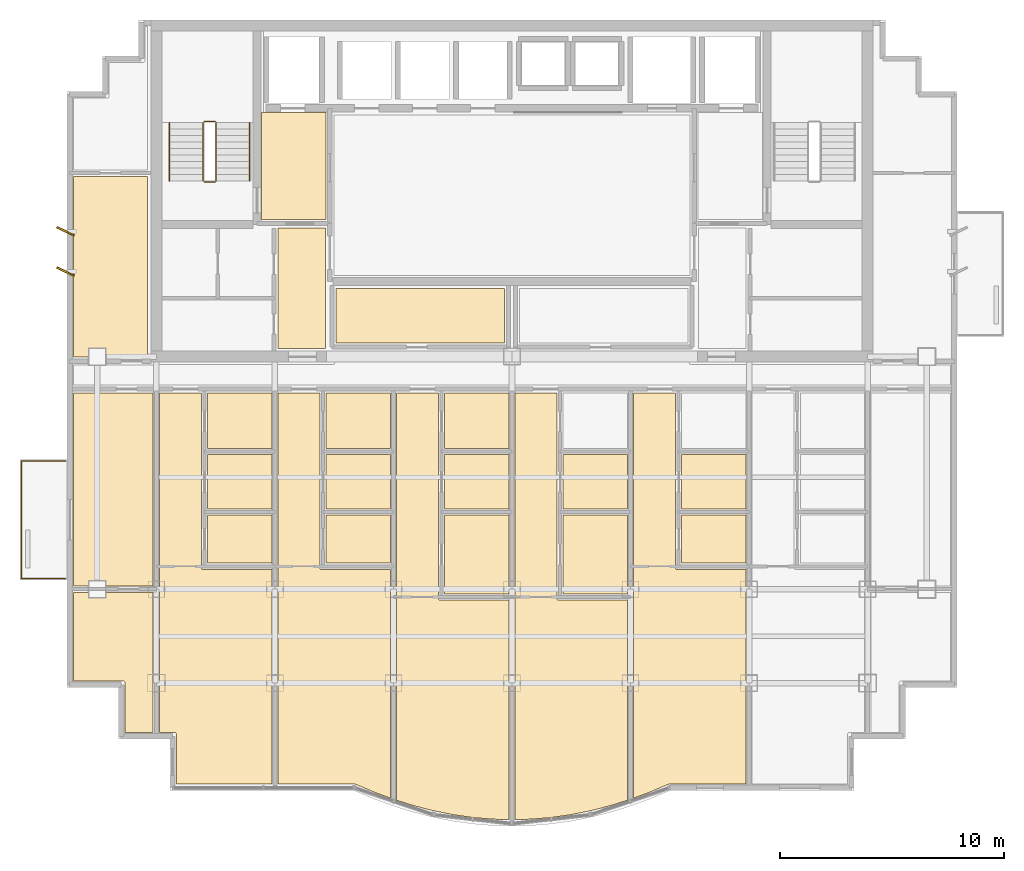
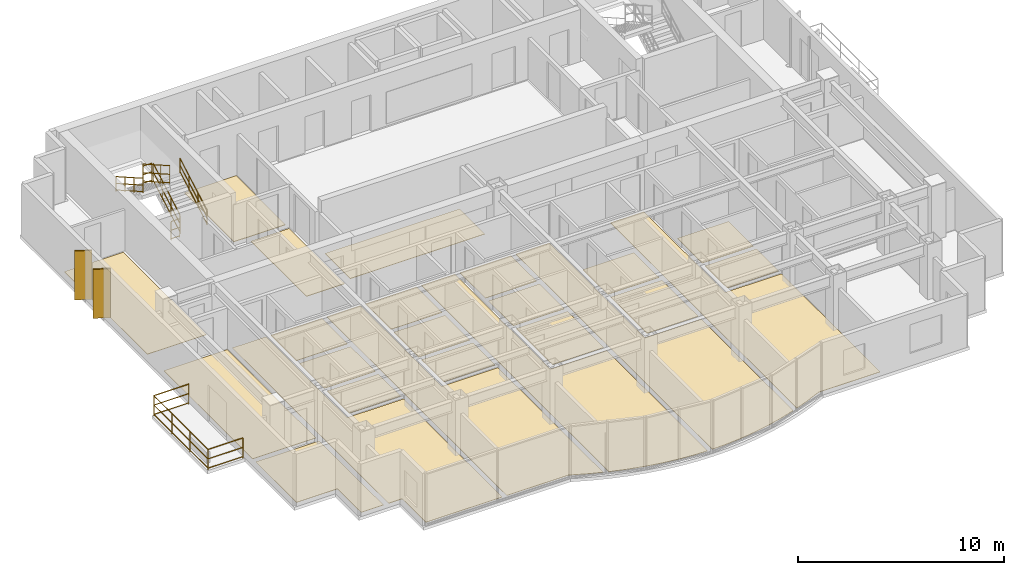
# One storey, part 8 of 9: 24 coverings, 7 railings, 2 shading devices.
"""IFC4 building model written with IfcOpenShell, lengths in metres."""

from ifc_helpers import new_model, si_unit, direction, frame, origin, origin_2d, place, context, subcontext, project, spatial, polyline, rectangle, circle, outline, extrude, source, transform, mapped, material, layer, layer_set, type_object, element, save


model = new_model("IFC4")

# Units and contexts
model_context = context("Model", 3, precision=1e-05, world=origin(), true_north=direction((0.0, 1.0)))
body_context = subcontext(model_context, "Body", "Model", "MODEL_VIEW")
ifc_project = project(units=[si_unit("LENGTHUNIT", "METRE"), si_unit("AREAUNIT", "SQUARE_METRE"), si_unit("VOLUMEUNIT", "CUBIC_METRE"), si_unit("PLANEANGLEUNIT", "RADIAN"), si_unit("MASSUNIT", "GRAM", prefix="KILO")], contexts=[model_context])

# Site, building, storey
site_placement = place(None, origin())
site = spatial("IfcSite", under=ifc_project, at=site_placement, CompositionType="ELEMENT")
building_placement = place(site_placement, origin())
building = spatial("IfcBuilding", under=site, at=building_placement, Name="Qianlan Lanfeng Residences", CompositionType="ELEMENT")
storey_placement = place(building_placement, frame((0.0, 0.0, 229.699951171875)))
storey = spatial("IfcBuildingStorey", under=building, at=storey_placement, Name="L63", CompositionType="ELEMENT", Elevation=229.699951171875)

# Coverings
ifc_material_1 = material(Name="Honed Taitung Granite Stone Flooring", Category="masonry")
ifc_layer_1 = layer(ifc_material_1, 0.030029296875)
ifc_layer_set_1 = layer_set([ifc_layer_1], Name="Honed Taitung Granite Stone Flooring")
covering_type_1 = type_object("IfcCoveringType", Name="FLR-STN-30", PredefinedType="FLOORING", material=ifc_layer_set_1)
covering_1_placement = place(storey_placement, origin())
element("IfcCovering", 1, at=covering_1_placement, inside=storey, type_object=covering_type_1, Name="L63 Firefighting Lift Lobby Floor Finish", PredefinedType="FLOORING", context=body_context, shape_type="SweptSolid", body=[
    extrude(outline(polyline([(15.2900390625, 31.320068359375), (18.179931640625, 31.320068359375), (18.179931640625, 36.110107421875), (15.2900390625, 36.110107421875), (15.2900390625, 31.320068359375)])), origin(), (0.0, 0.0, 1.0), 0.030029296875),
])
covering_2_placement = place(storey_placement, origin())
element("IfcCovering", 2, at=covering_2_placement, inside=storey, type_object=covering_type_1, Name="L63 Lift Lobby Floor Finish", PredefinedType="FLOORING", context=body_context, shape_type="SweptSolid", body=[
    extrude(outline(polyline([(16.030029296875, 25.56005859375), (18.169921875, 25.56005859375), (18.169921875, 30.949951171875), (16.030029296875, 30.949951171875), (16.030029296875, 25.56005859375)])), origin(), (0.0, 0.0, 1.0), 0.030029296875),
])
ifc_material_2 = material(Name="Slip-Resistant Porcelain Tile Flooring")
ifc_layer_2 = layer(ifc_material_2, 0.02001953125)
ifc_layer_set_2 = layer_set([ifc_layer_2], Name="Slip-Resistant Porcelain Tile Flooring")
covering_type_2 = type_object("IfcCoveringType", Name="FLR-TIL-20", PredefinedType="FLOORING", material=ifc_layer_set_2)
covering_3_placement = place(storey_placement, origin())
element("IfcCovering", 3, at=covering_3_placement, inside=storey, type_object=covering_type_2, Name="L63 Kitchen Floor Finish", PredefinedType="FLOORING", context=body_context, shape_type="SweptSolid", body=[
    extrude(outline(polyline([(12.889892578125, 18.389892578125), (15.760009765625, 18.389892578125), (15.760009765625, 20.81005859375), (12.889892578125, 20.81005859375), (12.889892578125, 18.389892578125)])), origin(), (0.0, 0.0, 1.0), 0.02001953125),
])
covering_4_placement = place(storey_placement, origin())
element("IfcCovering", 4, at=covering_4_placement, inside=storey, type_object=covering_type_2, Name="L63 Bathroom Floor Finish", PredefinedType="FLOORING", context=body_context, shape_type="SweptSolid", body=[
    extrude(outline(polyline([(12.889892578125, 21.090087890625), (15.760009765625, 21.090087890625), (15.760009765625, 23.580078125), (12.889892578125, 23.580078125), (12.889892578125, 21.090087890625)])), origin(), (0.0, 0.0, 1.0), 0.02001953125),
])
covering_5_placement = place(storey_placement, origin())
element("IfcCovering", 5, at=covering_5_placement, inside=storey, type_object=covering_type_2, Name="L63 Kitchen Floor Finish", PredefinedType="FLOORING", context=body_context, shape_type="SweptSolid", body=[
    extrude(outline(polyline([(18.18994140625, 18.389892578125), (21.06005859375, 18.389892578125), (21.06005859375, 20.81005859375), (18.18994140625, 20.81005859375), (18.18994140625, 18.389892578125)])), origin(), (0.0, 0.0, 1.0), 0.02001953125),
])
covering_6_placement = place(storey_placement, origin())
element("IfcCovering", 6, at=covering_6_placement, inside=storey, type_object=covering_type_2, Name="L63 Bathroom Floor Finish", PredefinedType="FLOORING", context=body_context, shape_type="SweptSolid", body=[
    extrude(outline(polyline([(18.18994140625, 21.090087890625), (21.06005859375, 21.090087890625), (21.06005859375, 23.580078125), (18.18994140625, 23.580078125), (18.18994140625, 21.090087890625)])), origin(), (0.0, 0.0, 1.0), 0.02001953125),
])
covering_7_placement = place(storey_placement, origin())
element("IfcCovering", 7, at=covering_7_placement, inside=storey, type_object=covering_type_2, Name="L63 Kitchen Floor Finish", PredefinedType="FLOORING", context=body_context, shape_type="SweptSolid", body=[
    extrude(outline(polyline([(23.489990234375, 18.389892578125), (26.360107421875, 18.389892578125), (26.360107421875, 20.81005859375), (23.489990234375, 20.81005859375), (23.489990234375, 18.389892578125)])), origin(), (0.0, 0.0, 1.0), 0.02001953125),
])
covering_8_placement = place(storey_placement, origin())
element("IfcCovering", 8, at=covering_8_placement, inside=storey, type_object=covering_type_2, Name="L63 Bathroom Floor Finish", PredefinedType="FLOORING", context=body_context, shape_type="SweptSolid", body=[
    extrude(outline(polyline([(23.489990234375, 21.090087890625), (26.360107421875, 21.090087890625), (26.360107421875, 23.580078125), (23.489990234375, 23.580078125), (23.489990234375, 21.090087890625)])), origin(), (0.0, 0.0, 1.0), 0.02001953125),
])
covering_9_placement = place(storey_placement, origin())
element("IfcCovering", 9, at=covering_9_placement, inside=storey, type_object=covering_type_2, Name="L63 Kitchen Floor Finish", PredefinedType="FLOORING", context=body_context, shape_type="SweptSolid", body=[
    extrude(outline(polyline([(28.7900390625, 18.389892578125), (31.659912109375, 18.389892578125), (31.659912109375, 20.81005859375), (28.7900390625, 20.81005859375), (28.7900390625, 18.389892578125)])), origin(), (0.0, 0.0, 1.0), 0.02001953125),
])
covering_10_placement = place(storey_placement, origin())
element("IfcCovering", 10, at=covering_10_placement, inside=storey, type_object=covering_type_2, Name="L63 Kitchen Floor Finish", PredefinedType="FLOORING", context=body_context, shape_type="SweptSolid", body=[
    extrude(outline(polyline([(34.090087890625, 18.389892578125), (36.9599609375, 18.389892578125), (36.9599609375, 20.81005859375), (34.090087890625, 20.81005859375), (34.090087890625, 18.389892578125)])), origin(), (0.0, 0.0, 1.0), 0.02001953125),
])
ifc_material_3 = material(Name="Engineered Smoked Oak Timber Flooring", Category="wood")
ifc_layer_3 = layer(ifc_material_3, 0.02197265625)
ifc_layer_set_3 = layer_set([ifc_layer_3], Name="Engineered Smoked Oak Timber Flooring")
covering_type_3 = type_object("IfcCoveringType", Name="FLR-TIM-22", PredefinedType="FLOORING", material=ifc_layer_set_3)
covering_11_placement = place(storey_placement, origin())
element("IfcCovering", 11, at=covering_11_placement, inside=storey, type_object=covering_type_3, Name="L63 Gallery Salon Floor Finish", PredefinedType="FLOORING", context=body_context, shape_type="SweptSolid", body=[
    extrude(outline(polyline([(18.6298828125, 25.800048828125), (26.169921875, 25.800048828125), (26.169921875, 28.2548828125), (18.6298828125, 28.2548828125), (18.6298828125, 25.800048828125)])), origin(), (0.0, 0.0, 1.0), 0.02197265625),
])
covering_12_placement = place(storey_placement, origin())
element("IfcCovering", 12, at=covering_12_placement, inside=storey, type_object=covering_type_3, Name="L63 Studio Living Room Floor Finish", PredefinedType="FLOORING", context=body_context, shape_type="SweptSolid", body=[
    extrude(outline(polyline([(15.77001953125, 6.090087890625), (15.77001953125, 15.679931640625), (12.679931640625, 15.679931640625), (12.673095703125, 15.679931640625), (12.666015625, 15.680908203125), (12.659912109375, 15.68310546875), (12.653076171875, 15.68505859375), (12.64697265625, 15.68798828125), (12.64111328125, 15.69189453125), (12.635986328125, 15.696044921875), (12.631103515625, 15.700927734375), (12.6259765625, 15.7060546875), (12.6220703125, 15.7109375), (12.617919921875, 15.717041015625), (12.614990234375, 15.722900390625), (12.613037109375, 15.72998046875), (12.611083984375, 15.736083984375), (12.610107421875, 15.742919921875), (12.610107421875, 15.75), (12.610107421875, 23.580078125), (10.72998046875, 23.580078125), (10.72998046875, 8.389892578125), (11.419921875, 8.389892578125), (11.427001953125, 8.389892578125), (11.43408203125, 8.388916015625), (11.43994140625, 8.386962890625), (11.447021484375, 8.385009765625), (11.452880859375, 8.382080078125), (11.458984375, 8.3779296875), (11.464111328125, 8.3740234375), (11.468994140625, 8.368896484375), (11.47412109375, 8.364013671875), (11.47802734375, 8.35888671875), (11.48193359375, 8.35302734375), (11.485107421875, 8.346923828125), (11.487060546875, 8.340087890625), (11.489013671875, 8.333984375), (11.489990234375, 8.326904296875), (11.489990234375, 8.320068359375), (11.489990234375, 6.090087890625), (15.77001953125, 6.090087890625)])), origin(), (0.0, 0.0, 1.0), 0.02197265625),
])
covering_13_placement = place(storey_placement, origin())
element("IfcCovering", 13, at=covering_13_placement, inside=storey, type_object=covering_type_3, Name="L63 Private Study Floor Finish", PredefinedType="FLOORING", context=body_context, shape_type="SweptSolid", body=[
    extrude(outline(polyline([(12.889892578125, 18.110107421875), (12.889892578125, 15.9599609375), (15.77001953125, 15.9599609375), (15.77001953125, 18.110107421875), (12.889892578125, 18.110107421875)])), origin(), (0.0, 0.0, 1.0), 0.02197265625),
])
covering_14_placement = place(storey_placement, origin())
element("IfcCovering", 14, at=covering_14_placement, inside=storey, type_object=covering_type_3, Name="L63 Studio Living Room Floor Finish", PredefinedType="FLOORING", context=body_context, shape_type="SweptSolid", body=[
    extrude(outline(polyline([(21.070068359375, 5.452880859375), (21.070068359375, 15.679931640625), (17.97998046875, 15.679931640625), (17.972900390625, 15.679931640625), (17.966064453125, 15.680908203125), (17.9599609375, 15.68310546875), (17.952880859375, 15.68505859375), (17.947021484375, 15.68798828125), (17.94091796875, 15.69189453125), (17.93603515625, 15.696044921875), (17.930908203125, 15.700927734375), (17.926025390625, 15.7060546875), (17.922119140625, 15.7109375), (17.91796875, 15.717041015625), (17.9150390625, 15.722900390625), (17.9130859375, 15.72998046875), (17.910888671875, 15.736083984375), (17.909912109375, 15.742919921875), (17.909912109375, 15.75), (17.909912109375, 23.580078125), (16.030029296875, 23.580078125), (16.030029296875, 6.090087890625), (19.465087890625, 6.090087890625), (19.471923828125, 6.090087890625), (19.47900390625, 6.089111328125), (19.485107421875, 6.0869140625), (19.491943359375, 6.083984375), (20.412109375, 5.695068359375), (21.070068359375, 5.452880859375)])), origin(), (0.0, 0.0, 1.0), 0.02197265625),
])
covering_15_placement = place(storey_placement, origin())
element("IfcCovering", 15, at=covering_15_placement, inside=storey, type_object=covering_type_3, Name="L63 Private Study Floor Finish", PredefinedType="FLOORING", context=body_context, shape_type="SweptSolid", body=[
    extrude(outline(polyline([(18.18994140625, 18.110107421875), (18.18994140625, 15.9599609375), (21.070068359375, 15.9599609375), (21.070068359375, 18.110107421875), (18.18994140625, 18.110107421875)])), origin(), (0.0, 0.0, 1.0), 0.02197265625),
])
covering_16_placement = place(storey_placement, origin())
element("IfcCovering", 16, at=covering_16_placement, inside=storey, type_object=covering_type_3, Name="L63 Studio Living Room Floor Finish", PredefinedType="FLOORING", context=body_context, shape_type="SweptSolid", body=[
    extrude(outline(polyline([(26.3701171875, 4.493896484375), (26.3701171875, 14.30810546875), (23.280029296875, 14.30810546875), (23.27294921875, 14.30810546875), (23.26611328125, 14.30908203125), (23.260009765625, 14.31103515625), (23.2529296875, 14.31298828125), (23.2470703125, 14.31591796875), (23.240966796875, 14.320068359375), (23.236083984375, 14.323974609375), (23.23095703125, 14.3291015625), (23.22607421875, 14.333984375), (23.221923828125, 14.339111328125), (23.218017578125, 14.344970703125), (23.215087890625, 14.35107421875), (23.212890625, 14.35791015625), (23.2109375, 14.364013671875), (23.2099609375, 14.37109375), (23.2099609375, 14.3779296875), (23.2099609375, 23.580078125), (21.330078125, 23.580078125), (21.330078125, 14.3779296875), (21.3310546875, 5.360107421875), (22.154052734375, 5.10400390625), (23.02392578125, 4.883056640625), (23.89306640625, 4.7109375), (24.762939453125, 4.587890625), (25.631103515625, 4.514892578125), (26.3701171875, 4.493896484375)])), origin(), (0.0, 0.0, 1.0), 0.02197265625),
])
covering_17_placement = place(storey_placement, origin())
element("IfcCovering", 17, at=covering_17_placement, inside=storey, type_object=covering_type_3, Name="L63 Private Study Floor Finish", PredefinedType="FLOORING", context=body_context, shape_type="SweptSolid", body=[
    extrude(outline(polyline([(23.489990234375, 18.110107421875), (23.489990234375, 14.587890625), (26.3701171875, 14.587890625), (26.3701171875, 18.110107421875), (23.489990234375, 18.110107421875)])), origin(), (0.0, 0.0, 1.0), 0.02197265625),
])
covering_18_placement = place(storey_placement, origin())
element("IfcCovering", 18, at=covering_18_placement, inside=storey, type_object=covering_type_3, Name="L63 Studio Living Room Floor Finish", PredefinedType="FLOORING", context=body_context, shape_type="SweptSolid", body=[
    extrude(outline(polyline([(31.669921875, 5.360107421875), (31.669921875, 14.30810546875), (28.580078125, 14.30810546875), (28.572998046875, 14.30810546875), (28.56591796875, 14.30908203125), (28.56005859375, 14.31103515625), (28.552978515625, 14.31298828125), (28.547119140625, 14.31591796875), (28.541015625, 14.320068359375), (28.535888671875, 14.323974609375), (28.531005859375, 14.3291015625), (28.52587890625, 14.333984375), (28.52197265625, 14.339111328125), (28.51806640625, 14.344970703125), (28.514892578125, 14.35107421875), (28.512939453125, 14.35791015625), (28.510986328125, 14.364013671875), (28.510009765625, 14.37109375), (28.510009765625, 14.3779296875), (28.510009765625, 23.580078125), (26.6298828125, 23.580078125), (26.6298828125, 4.493896484375), (27.368896484375, 4.514892578125), (28.237060546875, 4.587890625), (29.10693359375, 4.7109375), (29.97607421875, 4.883056640625), (30.845947265625, 5.10400390625), (31.669921875, 5.360107421875)])), origin(), (0.0, 0.0, 1.0), 0.02197265625),
])
covering_19_placement = place(storey_placement, origin())
element("IfcCovering", 19, at=covering_19_placement, inside=storey, type_object=covering_type_3, Name="L63 Private Study Floor Finish", PredefinedType="FLOORING", context=body_context, shape_type="SweptSolid", body=[
    extrude(outline(polyline([(28.7900390625, 18.110107421875), (28.7900390625, 14.587890625), (31.669921875, 14.587890625), (31.669921875, 18.110107421875), (28.7900390625, 18.110107421875)])), origin(), (0.0, 0.0, 1.0), 0.02197265625),
])
covering_20_placement = place(storey_placement, origin())
element("IfcCovering", 20, at=covering_20_placement, inside=storey, type_object=covering_type_3, Name="L63 Studio Living Room Floor Finish", PredefinedType="FLOORING", context=body_context, shape_type="SweptSolid", body=[
    extrude(outline(polyline([(36.969970703125, 6.090087890625), (36.969970703125, 15.679931640625), (33.8798828125, 15.679931640625), (33.873046875, 15.679931640625), (33.865966796875, 15.680908203125), (33.860107421875, 15.68310546875), (33.85302734375, 15.68505859375), (33.846923828125, 15.68798828125), (33.841064453125, 15.69189453125), (33.8359375, 15.696044921875), (33.8310546875, 15.700927734375), (33.825927734375, 15.7060546875), (33.822021484375, 15.7109375), (33.818115234375, 15.717041015625), (33.81494140625, 15.722900390625), (33.81298828125, 15.72998046875), (33.81103515625, 15.736083984375), (33.81005859375, 15.742919921875), (33.81005859375, 15.75), (33.81005859375, 23.580078125), (31.929931640625, 23.580078125), (31.929931640625, 5.452880859375), (32.587890625, 5.695068359375), (33.508056640625, 6.083984375), (33.514892578125, 6.0869140625), (33.52099609375, 6.089111328125), (33.528076171875, 6.090087890625), (33.534912109375, 6.090087890625), (36.969970703125, 6.090087890625)])), origin(), (0.0, 0.0, 1.0), 0.02197265625),
])
covering_21_placement = place(storey_placement, origin())
element("IfcCovering", 21, at=covering_21_placement, inside=storey, type_object=covering_type_3, Name="L63 Private Study Floor Finish", PredefinedType="FLOORING", context=body_context, shape_type="SweptSolid", body=[
    extrude(outline(polyline([(34.090087890625, 18.110107421875), (34.090087890625, 15.9599609375), (36.969970703125, 15.9599609375), (36.969970703125, 18.110107421875), (34.090087890625, 18.110107421875)])), origin(), (0.0, 0.0, 1.0), 0.02197265625),
])
covering_22_placement = place(storey_placement, origin())
element("IfcCovering", 22, at=covering_22_placement, inside=storey, type_object=covering_type_3, Name="L63 Sunroom Floor Finish", PredefinedType="FLOORING", context=body_context, shape_type="SweptSolid", body=[
    extrude(outline(polyline([(10.43994140625, 14.64990234375), (6.889892578125, 14.64990234375), (6.889892578125, 10.68994140625), (9.1201171875, 10.68994140625), (9.126953125, 10.68994140625), (9.134033203125, 10.68896484375), (9.139892578125, 10.68701171875), (9.14697265625, 10.68505859375), (9.153076171875, 10.681884765625), (9.158935546875, 10.677978515625), (9.1640625, 10.674072265625), (9.1689453125, 10.6689453125), (9.174072265625, 10.6640625), (9.177978515625, 10.658935546875), (9.181884765625, 10.653076171875), (9.18505859375, 10.64697265625), (9.18701171875, 10.639892578125), (9.18896484375, 10.634033203125), (9.18994140625, 10.626953125), (9.18994140625, 10.6201171875), (9.18994140625, 8.389892578125), (10.43994140625, 8.389892578125), (10.43994140625, 14.64990234375)])), origin(), (0.0, 0.0, 1.0), 0.02197265625),
])
covering_23_placement = place(storey_placement, origin())
element("IfcCovering", 23, at=covering_23_placement, inside=storey, type_object=covering_type_3, Name="L63 Family Sitting Room Floor Finish", PredefinedType="FLOORING", context=body_context, shape_type="SweptSolid", body=[
    extrude(outline(polyline([(10.43994140625, 23.580078125), (6.889892578125, 23.580078125), (6.889892578125, 14.949951171875), (10.43994140625, 14.949951171875), (10.43994140625, 23.580078125)])), origin(), (0.0, 0.0, 1.0), 0.02197265625),
])
covering_24_placement = place(storey_placement, origin())
element("IfcCovering", 24, at=covering_24_placement, inside=storey, type_object=covering_type_3, Name="L63 Business Meeting Room Floor Finish", PredefinedType="FLOORING", context=body_context, shape_type="SweptSolid", body=[
    extrude(outline(polyline([(10.199951171875, 33.25), (6.889892578125, 33.25), (6.889892578125, 25.179931640625), (10.199951171875, 25.179931640625), (10.199951171875, 33.25)])), origin(), (0.0, 0.0, 1.0), 0.02197265625),
])

# Railings
ifc_material_4 = material(Name="Anodised Bronze Aluminium and Laminated Glass Guard Balustrade", Category="aluminium")
railing_type_1 = type_object("IfcRailingType", Name="GR-EXT-1220", PredefinedType="BALUSTRADE", material=ifc_material_4)
railing_1_placement = place(storey_placement, frame((6.530029296875, 15.27001953125, 0.0)))
element("IfcRailing", 25, at=railing_1_placement, inside=storey, type_object=railing_type_1, Name="L63 Terrace Safety Guard GR-L63-WB-S", PredefinedType="BALUSTRADE", context=body_context, shape_type="SweptSolid", body=[
    extrude(circle(Radius=0.02490234375, at=origin_2d()), frame((0.0, 0.0, 0.0849609375), z_axis=(-1.0, 0.0, 0.0), x_axis=(0.0, -1.0, 0.0)), (0.0, 0.0, 1.0), 1.9599609375),
    extrude(circle(Radius=0.02490234375, at=origin_2d()), frame((0.0, 0.0, 0.63427734375), z_axis=(-1.0, 0.0, 0.0), x_axis=(0.0, -1.0, 0.0)), (0.0, 0.0, 1.0), 1.9599609375),
    extrude(circle(Radius=0.02490234375, at=origin_2d()), frame((0.0, 0.0, 1.19482421875), z_axis=(-1.0, 0.0, 0.0), x_axis=(0.0, -1.0, 0.0)), (0.0, 0.0, 1.0), 1.9599609375),
    extrude(circle(Radius=0.02490234375, at=origin_2d()), frame((-1.9599609375, 0.0, 0.0849609375), z_axis=(0.0, 1.0, 0.0), x_axis=(-1.0, 0.0, 0.0)), (0.0, 0.0, 1.0), 5.260009765625),
    extrude(circle(Radius=0.02490234375, at=origin_2d()), frame((-1.9599609375, 0.0, 0.63427734375), z_axis=(0.0, 1.0, 0.0), x_axis=(-1.0, 0.0, 0.0)), (0.0, 0.0, 1.0), 5.260009765625),
    extrude(circle(Radius=0.02490234375, at=origin_2d()), frame((-1.9599609375, 0.0, 1.19482421875), z_axis=(0.0, 1.0, 0.0), x_axis=(-1.0, 0.0, 0.0)), (0.0, 0.0, 1.0), 5.260009765625),
    extrude(circle(Radius=0.02490234375, at=origin_2d()), frame((-1.9599609375, 5.260009765625, 0.0849609375), z_axis=(1.0, 0.0, 0.0), x_axis=(0.0, 1.0, 0.0)), (0.0, 0.0, 1.0), 1.9599609375),
    extrude(circle(Radius=0.02490234375, at=origin_2d()), frame((-1.9599609375, 5.260009765625, 0.63427734375), z_axis=(1.0, 0.0, 0.0), x_axis=(0.0, 1.0, 0.0)), (0.0, 0.0, 1.0), 1.9599609375),
    extrude(circle(Radius=0.02490234375, at=origin_2d()), frame((-1.9599609375, 5.260009765625, 1.19482421875), z_axis=(1.0, 0.0, 0.0), x_axis=(0.0, 1.0, 0.0)), (0.0, 0.0, 1.0), 1.9599609375),
    extrude(circle(Radius=0.02099609375, at=origin_2d()), origin(), (0.0, 0.0, 1.0), 1.169921875),
    extrude(circle(Radius=0.02099609375, at=origin_2d()), frame((-1.9599609375, 0.0, 0.0)), (0.0, 0.0, 1.0), 1.169921875),
    extrude(circle(Radius=0.02099609375, at=origin_2d()), frame((-1.9599609375, 1.75341796875, 0.0)), (0.0, 0.0, 1.0), 1.169921875),
    extrude(circle(Radius=0.02099609375, at=origin_2d()), frame((-1.9599609375, 3.506591796875, 0.0)), (0.0, 0.0, 1.0), 1.169921875),
    extrude(circle(Radius=0.02099609375, at=origin_2d()), frame((-1.9599609375, 5.260009765625, 0.0)), (0.0, 0.0, 1.0), 1.169921875),
    extrude(circle(Radius=0.02099609375, at=origin_2d()), frame((0.0, 5.260009765625, 0.0)), (0.0, 0.0, 1.0), 1.169921875),
])
ifc_material_5 = material(Name="Painted Galvanised Steel Guardrail", Category="steel")
railing_type_2 = type_object("IfcRailingType", Name="GR-ST-1120", PredefinedType="GUARDRAIL", material=ifc_material_5)
railing_2_placement = place(storey_placement, frame((13.27001953125, 33.050048828125, 0.1650390625)))
element("IfcRailing", 26, at=railing_2_placement, inside=storey, type_object=railing_type_2, Name="L63 ST-1 stair guard 1", PredefinedType="GUARDRAIL", context=body_context, shape_type="SweptSolid", body=[
    extrude(circle(Radius=0.02392578125, at=origin_2d()), frame((0.0, 0.0, 0.083984375), z_axis=(0.0, 0.869137319866, 0.494570843475), x_axis=(-1.0, 0.0, 0.0)), (0.0, 0.0, 1.0), 3.0029296875),
    extrude(circle(Radius=0.02392578125, at=origin_2d()), frame((0.0, 0.0, 0.58251953125), z_axis=(0.0, 0.869137319866, 0.494570843475), x_axis=(-1.0, 0.0, 0.0)), (0.0, 0.0, 1.0), 3.0029296875),
    extrude(circle(Radius=0.02392578125, at=origin_2d()), frame((0.0, 0.0, 1.09619140625), z_axis=(0.0, 0.869137319866, 0.494570843475), x_axis=(-1.0, 0.0, 0.0)), (0.0, 0.0, 1.0), 3.0029296875),
    extrude(circle(Radius=0.02099609375, at=origin_2d()), origin(), (0.0, 0.0, 1.0), 1.072021484375),
    extrude(circle(Radius=0.02099609375, at=origin_2d()), frame((0.0, 0.869873046875, 0.4951171875)), (0.0, 0.0, 1.0), 1.072021484375),
    extrude(circle(Radius=0.02099609375, at=origin_2d()), frame((0.0, 1.739990234375, 0.989990234375)), (0.0, 0.0, 1.0), 1.072021484375),
    extrude(circle(Radius=0.02099609375, at=origin_2d()), frame((0.0, 2.60986328125, 1.485107421875)), (0.0, 0.0, 1.0), 1.072021484375),
])
railing_3_placement = place(storey_placement, frame((13.219970703125, 35.7099609375, 1.650146484375)))
element("IfcRailing", 27, at=railing_3_placement, inside=storey, type_object=railing_type_2, Name="L63 ST-1 stair guard 2", PredefinedType="GUARDRAIL", context=body_context, shape_type="SweptSolid", body=[
    extrude(circle(Radius=0.02392578125, at=origin_2d()), frame((0.0, 0.0, 0.083984375), z_axis=(-1.0, 0.0, 0.0), x_axis=(0.0, -1.0, 0.0)), (0.0, 0.0, 1.0), 0.47998046875),
    extrude(circle(Radius=0.02392578125, at=origin_2d()), frame((0.0, 0.0, 0.58251953125), z_axis=(-1.0, 0.0, 0.0), x_axis=(0.0, -1.0, 0.0)), (0.0, 0.0, 1.0), 0.47998046875),
    extrude(circle(Radius=0.02392578125, at=origin_2d()), frame((0.0, 0.0, 1.09619140625), z_axis=(-1.0, 0.0, 0.0), x_axis=(0.0, -1.0, 0.0)), (0.0, 0.0, 1.0), 0.47998046875),
    extrude(circle(Radius=0.02099609375, at=origin_2d()), origin(), (0.0, 0.0, 1.0), 1.072021484375),
    extrude(circle(Radius=0.02099609375, at=origin_2d()), frame((-0.47998046875, 0.0, 0.0)), (0.0, 0.0, 1.0), 1.072021484375),
])
railing_4_placement = place(storey_placement, frame((12.68994140625, 35.659912109375, 1.81494140625)))
element("IfcRailing", 28, at=railing_4_placement, inside=storey, type_object=railing_type_2, Name="L63 ST-1 stair guard 3", PredefinedType="GUARDRAIL", context=body_context, shape_type="SweptSolid", body=[
    extrude(circle(Radius=0.02392578125, at=origin_2d()), frame((0.0, 0.0, 0.083984375), z_axis=(0.0, -0.869137319866, 0.494570843475), x_axis=(1.0, 0.0, 0.0)), (0.0, 0.0, 1.0), 3.0029296875),
    extrude(circle(Radius=0.02392578125, at=origin_2d()), frame((0.0, 0.0, 0.58251953125), z_axis=(0.0, -0.869137319866, 0.494570843475), x_axis=(1.0, 0.0, 0.0)), (0.0, 0.0, 1.0), 3.0029296875),
    extrude(circle(Radius=0.02392578125, at=origin_2d()), frame((0.0, 0.0, 1.09619140625), z_axis=(0.0, -0.869137319866, 0.494570843475), x_axis=(1.0, 0.0, 0.0)), (0.0, 0.0, 1.0), 3.0029296875),
    extrude(circle(Radius=0.02099609375, at=origin_2d()), origin(), (0.0, 0.0, 1.0), 1.072021484375),
    extrude(circle(Radius=0.02099609375, at=origin_2d()), frame((0.0, -0.869873046875, 0.4951171875)), (0.0, 0.0, 1.0), 1.072021484375),
    extrude(circle(Radius=0.02099609375, at=origin_2d()), frame((0.0, -1.739990234375, 0.989990234375)), (0.0, 0.0, 1.0), 1.072021484375),
    extrude(circle(Radius=0.02099609375, at=origin_2d()), frame((0.0, -2.60986328125, 1.485107421875)), (0.0, 0.0, 1.0), 1.072021484375),
])
railing_5_placement = place(storey_placement, frame((13.219970703125, 33.0, 0.0)))
element("IfcRailing", 29, at=railing_5_placement, inside=storey, type_object=railing_type_2, Name="L63 ST-1 stair guard 4", PredefinedType="GUARDRAIL", context=body_context, shape_type="SweptSolid", body=[
    extrude(circle(Radius=0.02392578125, at=origin_2d()), frame((0.0, 0.0, 0.083984375), z_axis=(-1.0, 0.0, 0.0), x_axis=(0.0, -1.0, 0.0)), (0.0, 0.0, 1.0), 0.47998046875),
    extrude(circle(Radius=0.02392578125, at=origin_2d()), frame((0.0, 0.0, 0.58251953125), z_axis=(-1.0, 0.0, 0.0), x_axis=(0.0, -1.0, 0.0)), (0.0, 0.0, 1.0), 0.47998046875),
    extrude(circle(Radius=0.02392578125, at=origin_2d()), frame((0.0, 0.0, 1.09619140625), z_axis=(-1.0, 0.0, 0.0), x_axis=(0.0, -1.0, 0.0)), (0.0, 0.0, 1.0), 0.47998046875),
    extrude(circle(Radius=0.02099609375, at=origin_2d()), origin(), (0.0, 0.0, 1.0), 1.072021484375),
    extrude(circle(Radius=0.02099609375, at=origin_2d()), frame((-0.47998046875, 0.0, 0.0)), (0.0, 0.0, 1.0), 1.072021484375),
])
ifc_material_6 = material(Name="Brushed Stainless Steel Handrail", Category="steel")
railing_type_3 = type_object("IfcRailingType", Name="HR-ST-920", PredefinedType="HANDRAIL", material=ifc_material_6)
railing_6_placement = place(storey_placement, frame((14.77001953125, 33.050048828125, 0.1650390625)))
element("IfcRailing", 30, at=railing_6_placement, inside=storey, type_object=railing_type_3, Name="L63 ST-1 stair handrail 1", PredefinedType="HANDRAIL", context=body_context, shape_type="SweptSolid", body=[
    extrude(circle(Radius=0.02392578125, at=origin_2d()), frame((0.0, 0.0, 0.083984375), z_axis=(0.0, 0.869137319866, 0.494570843475), x_axis=(-1.0, 0.0, 0.0)), (0.0, 0.0, 1.0), 3.0029296875),
    extrude(circle(Radius=0.02392578125, at=origin_2d()), frame((0.0, 0.0, 0.468017578125), z_axis=(0.0, 0.869137319866, 0.494570843475), x_axis=(-1.0, 0.0, 0.0)), (0.0, 0.0, 1.0), 3.0029296875),
    extrude(circle(Radius=0.02392578125, at=origin_2d()), frame((0.0, 0.0, 0.8759765625), z_axis=(0.0, 0.869137319866, 0.494570843475), x_axis=(-1.0, 0.0, 0.0)), (0.0, 0.0, 1.0), 3.0029296875),
    extrude(circle(Radius=0.02099609375, at=origin_2d()), origin(), (0.0, 0.0, 1.0), 0.851806640625),
    extrude(circle(Radius=0.02099609375, at=origin_2d()), frame((0.0, 0.869873046875, 0.4951171875)), (0.0, 0.0, 1.0), 0.851806640625),
    extrude(circle(Radius=0.02099609375, at=origin_2d()), frame((0.0, 1.739990234375, 0.989990234375)), (0.0, 0.0, 1.0), 0.851806640625),
    extrude(circle(Radius=0.02099609375, at=origin_2d()), frame((0.0, 2.60986328125, 1.485107421875)), (0.0, 0.0, 1.0), 0.851806640625),
])
railing_7_placement = place(storey_placement, frame((11.18994140625, 35.659912109375, 1.81494140625)))
element("IfcRailing", 31, at=railing_7_placement, inside=storey, type_object=railing_type_3, Name="L63 ST-1 stair handrail 2", PredefinedType="HANDRAIL", context=body_context, shape_type="SweptSolid", body=[
    extrude(circle(Radius=0.02392578125, at=origin_2d()), frame((0.0, 0.0, 0.083984375), z_axis=(0.0, -0.869137319866, 0.494570843475), x_axis=(1.0, 0.0, 0.0)), (0.0, 0.0, 1.0), 3.0029296875),
    extrude(circle(Radius=0.02392578125, at=origin_2d()), frame((0.0, 0.0, 0.468017578125), z_axis=(0.0, -0.869137319866, 0.494570843475), x_axis=(1.0, 0.0, 0.0)), (0.0, 0.0, 1.0), 3.0029296875),
    extrude(circle(Radius=0.02392578125, at=origin_2d()), frame((0.0, 0.0, 0.8759765625), z_axis=(0.0, -0.869137319866, 0.494570843475), x_axis=(1.0, 0.0, 0.0)), (0.0, 0.0, 1.0), 3.0029296875),
    extrude(circle(Radius=0.02099609375, at=origin_2d()), origin(), (0.0, 0.0, 1.0), 0.851806640625),
    extrude(circle(Radius=0.02099609375, at=origin_2d()), frame((0.0, -0.869873046875, 0.4951171875)), (0.0, 0.0, 1.0), 0.851806640625),
    extrude(circle(Radius=0.02099609375, at=origin_2d()), frame((0.0, -1.739990234375, 0.989990234375)), (0.0, 0.0, 1.0), 0.851806640625),
    extrude(circle(Radius=0.02099609375, at=origin_2d()), frame((0.0, -2.60986328125, 1.485107421875)), (0.0, 0.0, 1.0), 0.851806640625),
])

# Shading devices
ifc_material_7 = material(Name="Anodised Bronze Aluminium Solar Fin", Category="aluminium")
shading_device_type = type_object("IfcShadingDeviceType", Name="FIN-BRZ-850", PredefinedType="SHUTTER", material=ifc_material_7)
shared_shape = source(origin(), body_context, "Body", "SweptSolid", [
    extrude(rectangle(XDim=0.85009765625, YDim=0.080078125, at=origin_2d()), origin(), (0.0, 0.0, 1.0), 2.89990234375),
])
for number, where, z_axis, x_axis, name in (
    (32, (6.530029296875, 29.0, 0.0), (0.0, 0.0, 1.0), (0.898794046299, -0.438371146789, 0.0), "L63 Raked Bronze Solar Fin W1"),
    (33, (6.530029296875, 30.800048828125, 0.0), (0.0, 0.0, 1.0), (0.898794046299, -0.438371146789, 0.0), "L63 Raked Bronze Solar Fin W2"),
):
    element("IfcShadingDevice", number, at=place(storey_placement, frame(where, z_axis=z_axis, x_axis=x_axis)), inside=storey, type_object=shading_device_type, Name=name, PredefinedType="SHUTTER", context=body_context, shape_type="MappedRepresentation", body=[
        mapped(shared_shape, transform((0.0, 0.0, 0.0), scale=1.0)),
    ])

save(model, "model.ifc")
